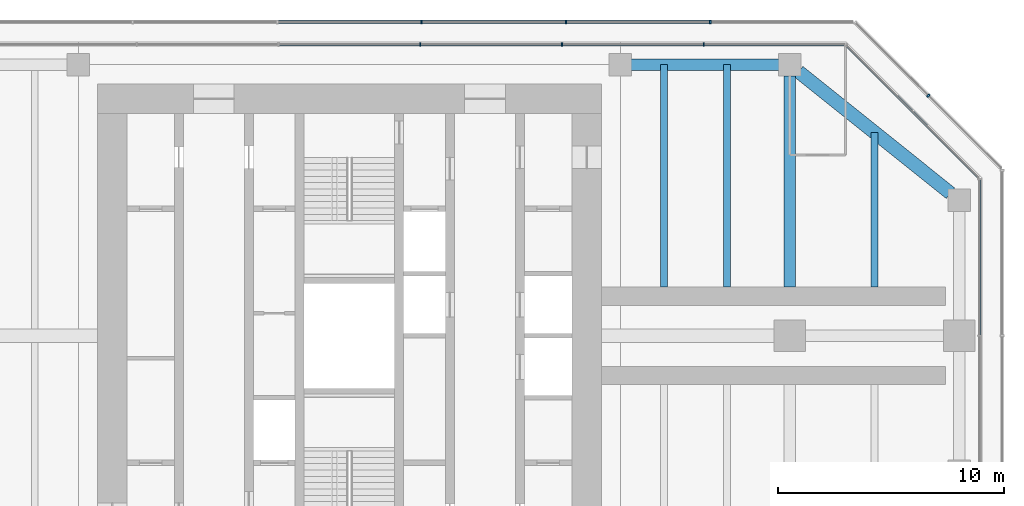
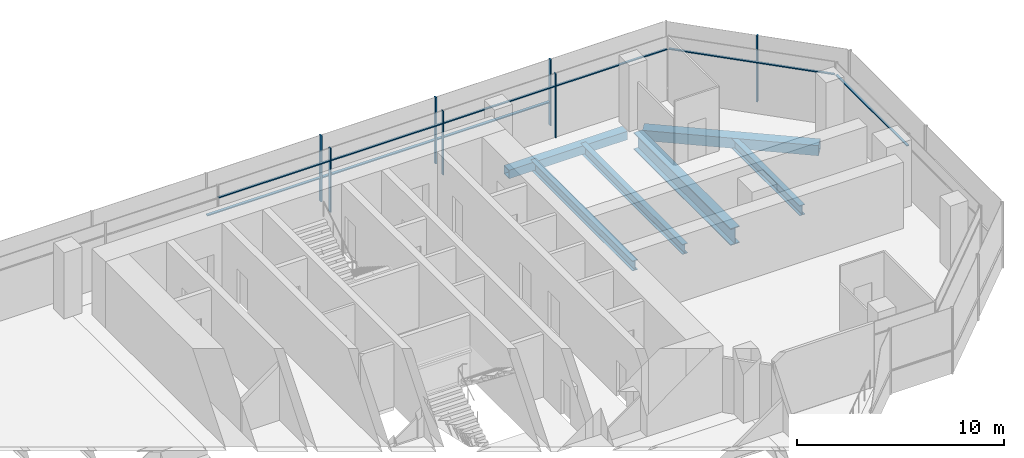
# One storey, part 7 of 15: 16 members, 6 beams, 5 elements without a shape of their own.
"""IFC4 building model written with IfcOpenShell, lengths in metres."""

import ifcopenshell
import ifcopenshell.guid

model = None  # the IFC model being written
_history = None  # IfcOwnerHistory: only IFC2X3 demands one
_inside = {}  # id of a spatial element -> (the spatial element, [elements in it])
_under = {}  # id of a project, library or spatial element -> (it, [spatial elements below it])
_declared = {}  # id of a project -> (the project, [libraries it declares])
_typed = {}  # id of a type object -> (the type object, [elements of that type])
_made_of = {}  # id of a material, layer set ... -> (it, [elements and type objects made of it])


def new_model(schema):
    """Start an empty IFC model of exactly this schema.

    Asked for "IFC4X3", IfcOpenShell would pick the latest addendum, in which some entities
    have other attributes; the version numbers below select the first issue.
    IFC2X3 requires an IfcOwnerHistory on every rooted entity: one is made here for all.
    """
    global model, _history
    if schema == "IFC4X3":
        model = ifcopenshell.file(schema_version=(4, 3, 0, 0))
    else:
        model = ifcopenshell.file(schema=schema)
    _inside.clear()
    _under.clear()
    _declared.clear()
    _typed.clear()
    _made_of.clear()
    _history = None
    if model.schema == "IFC2X3":
        org = make("IfcOrganization", Name="unknown")
        user = make(
            "IfcPersonAndOrganization",
            ThePerson=make("IfcPerson", FamilyName="unknown"),
            TheOrganization=org,
        )
        app = make(
            "IfcApplication",
            ApplicationDeveloper=org,
            Version="unknown",
            ApplicationFullName="unknown",
            ApplicationIdentifier="unknown",
        )
        _history = make(
            "IfcOwnerHistory",
            OwningUser=user,
            OwningApplication=app,
            ChangeAction="ADDED",
            CreationDate=0,
        )
    return model


def make(cls, **values):
    """One entity of the class cls with the attributes given. An attribute that is None is left unset."""
    return model.create_entity(
        cls, **{name: value for name, value in values.items() if value is not None}
    )


def rooted(cls, **values):
    """An entity with a GlobalId (a new one), such as an element, a storey or a relation."""
    return make(cls, GlobalId=ifcopenshell.guid.new(), OwnerHistory=_history, **values)


def si_unit(unit_type, name, prefix=None):
    """IfcSIUnit, for example si_unit("LENGTHUNIT", "METRE", prefix="MILLI")."""
    return make("IfcSIUnit", UnitType=unit_type, Prefix=prefix, Name=name)


def assignment(units):
    """IfcUnitAssignment: the units of a project."""
    return None if units is None else make("IfcUnitAssignment", Units=units)


def point(xyz):
    """IfcCartesianPoint."""
    return None if xyz is None else make("IfcCartesianPoint", Coordinates=xyz)


def direction(xyz):
    """IfcDirection."""
    return None if xyz is None else make("IfcDirection", DirectionRatios=xyz)


def frame(location, z_axis=None, x_axis=None):
    """IfcAxis2Placement3D, a coordinate frame: its origin and axes. An axis left out is left unset."""
    return make(
        "IfcAxis2Placement3D",
        Location=point(location),
        Axis=direction(z_axis),
        RefDirection=direction(x_axis),
    )


def frame_2d(location, x_axis=None):
    """IfcAxis2Placement2D, a coordinate frame in the plane: its origin and x axis."""
    return make(
        "IfcAxis2Placement2D", Location=point(location), RefDirection=direction(x_axis)
    )


def origin():
    """The frame at (0, 0, 0) with its axes left unset."""
    return frame((0.0, 0.0, 0.0))


def origin_2d():
    """The frame at (0, 0) in the plane with its x axis left unset."""
    return frame_2d((0.0, 0.0))


def place(relative_to, where):
    """IfcLocalPlacement: puts the frame where relative to a parent placement (None: the world)."""
    return make(
        "IfcLocalPlacement", PlacementRelTo=relative_to, RelativePlacement=where
    )


def context(
    kind, dimensions, precision=None, world=None, true_north=None, identifier=None
):
    """IfcGeometricRepresentationContext, for example the 3D "Model" context."""
    return make(
        "IfcGeometricRepresentationContext",
        ContextIdentifier=identifier,
        ContextType=kind,
        CoordinateSpaceDimension=dimensions,
        Precision=precision,
        WorldCoordinateSystem=world,
        TrueNorth=true_north,
    )


def subcontext(parent, identifier, kind, view, scale=None):
    """IfcGeometricRepresentationSubContext, for example "Body" below "Model"."""
    return make(
        "IfcGeometricRepresentationSubContext",
        ContextIdentifier=identifier,
        ContextType=kind,
        ParentContext=parent,
        TargetScale=scale,
        TargetView=view,
    )


def project(units=None, contexts=None):
    """IfcProject with its units and contexts."""
    return rooted(
        "IfcProject",
        Name="project",
        RepresentationContexts=contexts,
        UnitsInContext=assignment(units),
    )


def spatial(cls, under=None, at=None, **own):
    """A site, building, storey or space (cls), placed at a placement, below another one or the project."""
    s = rooted(cls, ObjectPlacement=at, **own)
    if under is not None:
        _under.setdefault(under.id(), (under, []))[1].append(s)
    return s


def profile(cls, at=None, kind="AREA", **sizes):
    """A parametric profile (cls). Its sizes go by their IFC names, for example OverallWidth=200.0."""
    return make(cls, ProfileType=kind, Position=at, **sizes)


def rectangle(**sizes):
    """IfcRectangleProfileDef."""
    return profile("IfcRectangleProfileDef", **sizes)


def hollow_rectangle(**sizes):
    """IfcRectangleHollowProfileDef."""
    return profile("IfcRectangleHollowProfileDef", **sizes)


def i_section(**sizes):
    """IfcIShapeProfileDef."""
    return profile("IfcIShapeProfileDef", **sizes)


def extrude(swept, where, along, depth):
    """IfcExtrudedAreaSolid: the profile swept, set in the frame where, extruded along a direction by depth."""
    return make(
        "IfcExtrudedAreaSolid",
        SweptArea=swept,
        Position=where,
        ExtrudedDirection=direction(along),
        Depth=depth,
    )


def shape(context_of_items, identifier, shape_type, items):
    """IfcShapeRepresentation: the items that make up one representation, for example the "Body"."""
    return make(
        "IfcShapeRepresentation",
        ContextOfItems=context_of_items,
        RepresentationIdentifier=identifier,
        RepresentationType=shape_type,
        Items=items,
    )


def material(Name=None, Category=None):
    """IfcMaterial."""
    return make("IfcMaterial", Name=Name, Category=Category)


def material_profile(
    of_material, cross_section, Name=None, Category=None, Priority=None
):
    """IfcMaterialProfile: a cross section and its material."""
    return make(
        "IfcMaterialProfile",
        Name=Name,
        Material=of_material,
        Profile=cross_section,
        Priority=Priority,
        Category=Category,
    )


def profile_set(profiles, Name=None, composite=None):
    """IfcMaterialProfileSet."""
    return make(
        "IfcMaterialProfileSet",
        Name=Name,
        MaterialProfiles=profiles,
        CompositeProfile=composite,
    )


def made_of(thing, what):
    """Note that an element or type object is made of a material, layer set ...; save() writes the relation."""
    if what is not None:
        _made_of.setdefault(what.id(), (what, []))[1].append(thing)
    return thing


def type_object(cls, material=None, **own):
    """A type object (cls), such as IfcWallType, which elements share."""
    return made_of(rooted(cls, **own), material)


def element(
    cls,
    number,
    at=None,
    inside=None,
    cuts=None,
    type_object=None,
    material=None,
    context=None,
    identifier="Body",
    shape_type=None,
    held_by="IfcProductDefinitionShape",
    body=None,
    shapes=None,
    **own,
):
    """One element of the class cls, such as IfcWall. Its Tag is "e" and its number.

    at: its placement. inside: the storey or other place that contains it. cuts: it is an
    opening in that element (IfcRelVoidsElement). A single representation is given by context,
    identifier, shape_type and body (its items); several are given by shapes. held_by: the class
    of the entity that holds the representations. save() writes the other relations.
    """
    e = rooted(cls, Tag="e%d" % number, ObjectPlacement=at, **own)
    if body is not None:
        shapes = [shape(context, identifier, shape_type, body)]
    if shapes is not None:
        e.Representation = make(held_by, Representations=shapes)
    if inside is not None:
        _inside.setdefault(inside.id(), (inside, []))[1].append(e)
    if cuts is not None:
        rooted(
            "IfcRelVoidsElement", RelatingBuildingElement=cuts, RelatedOpeningElement=e
        )
    if type_object is not None:
        _typed.setdefault(type_object.id(), (type_object, []))[1].append(e)
    return made_of(e, material)


def aggregate(whole, parts):
    """IfcRelAggregates: a whole, such as a stair, and the parts it consists of."""
    return rooted("IfcRelAggregates", RelatingObject=whole, RelatedObjects=parts)


def save(model, path):
    """Write the relations noted so far, then the file.

    IfcRelAggregates (storeys below a building ...), IfcRelContainedInSpatialStructure (elements
    in a storey), IfcRelDefinesByType, IfcRelAssociatesMaterial and IfcRelDeclares: one each for
    every whole, place, type object, material and project.
    """
    for whole, parts in _under.values():
        aggregate(whole, parts)
    for where, things in _inside.values():
        rooted(
            "IfcRelContainedInSpatialStructure",
            RelatedElements=things,
            RelatingStructure=where,
        )
    for kind, things in _typed.values():
        rooted("IfcRelDefinesByType", RelatedObjects=things, RelatingType=kind)
    for what, things in _made_of.values():
        rooted("IfcRelAssociatesMaterial", RelatedObjects=things, RelatingMaterial=what)
    for by, libraries in _declared.values():
        rooted("IfcRelDeclares", RelatingContext=by, RelatedDefinitions=libraries)
    model.write(path)


model = new_model("IFC4")

# Units and contexts
model_context = context("Model", 3, precision=1e-05, world=origin(), true_north=direction((0.0, 1.0)))
body_context = subcontext(model_context, "Body", "Model", "MODEL_VIEW")
ifc_project = project(units=[si_unit("LENGTHUNIT", "METRE"), si_unit("AREAUNIT", "SQUARE_METRE"), si_unit("VOLUMEUNIT", "CUBIC_METRE"), si_unit("PLANEANGLEUNIT", "RADIAN"), si_unit("MASSUNIT", "GRAM", prefix="KILO")], contexts=[model_context])

# Site, building, storey
site_placement = place(None, origin())
site = spatial("IfcSite", under=ifc_project, at=site_placement, CompositionType="ELEMENT")
building_placement = place(site_placement, origin())
building = spatial("IfcBuilding", under=site, at=building_placement, Name="Mizan Broadcast Tower", CompositionType="ELEMENT")
storey_placement = place(building_placement, frame((0.0, 0.0, 286.800048828125)))
storey = spatial("IfcBuildingStorey", under=building, at=storey_placement, Name="L68", CompositionType="ELEMENT", Elevation=286.800048828125)

# Beams
ifc_material_1 = material(Name="Steel S355", Category="steel")
ifc_material_profile_1 = material_profile(ifc_material_1, hollow_rectangle(XDim=0.5, YDim=0.5, WallThickness=0.030029296875, at=origin_2d()), Name="BOX 500x500x30")
ifc_profile_set_1 = profile_set([ifc_material_profile_1], Name="Steel S355")
beam_type_1 = type_object("IfcBeamType", Name="EDGE BEAM BOX 500x500x30", PredefinedType="SPANDREL", material=ifc_profile_set_1)
beam_1_placement = place(storey_placement, frame((12.449951171875, 12.0, -0.380126953125), z_axis=(1.0, 0.0, 0.0), x_axis=(0.0, 1.0, 0.0)))
element("IfcBeam", 1, at=beam_1_placement, inside=storey, type_object=beam_type_1, Name="Edge beam BOX 500x500x30 L68 east arm", PredefinedType="SPANDREL", context=body_context, shape_type="SweptSolid", body=[
    extrude(hollow_rectangle(XDim=0.5, YDim=0.5, WallThickness=0.030029296875, at=origin_2d()), origin(), (0.0, 0.0, 1.0), 6.60009765625),
])
ifc_material_2 = material(Name="Steel S355", Category="steel")
ifc_material_profile_2 = material_profile(ifc_material_2, hollow_rectangle(XDim=0.60009765625, YDim=0.60009765625, WallThickness=0.030029296875, at=origin_2d()), Name="BOX 600x600x30")
ifc_profile_set_2 = profile_set([ifc_material_profile_2], Name="Steel S355")
beam_type_2 = type_object("IfcBeamType", Name="EDGE BEAM BOX 600x600x30", PredefinedType="SPANDREL", material=ifc_profile_set_2)
beam_2_placement = place(storey_placement, frame((19.890380859375, 11.687744140625, -0.429931640625), z_axis=(0.780863273348, -0.62470196761, 0.0), x_axis=(0.62470196761, 0.780863273348, 0.0)))
element("IfcBeam", 2, at=beam_2_placement, inside=storey, type_object=beam_type_2, Name="Edge beam BOX 600x600x30 L68 east arm", PredefinedType="SPANDREL", context=body_context, shape_type="SweptSolid", body=[
    extrude(hollow_rectangle(XDim=0.60009765625, YDim=0.60009765625, WallThickness=0.030029296875, at=origin_2d()), origin(), (0.0, 0.0, 1.0), 8.60498046875),
])
ifc_material_3 = material(Name="Steel S460", Category="steel")
ifc_material_profile_3 = material_profile(ifc_material_3, i_section(OverallWidth=0.5, OverallDepth=1.0, WebThickness=0.02490234375, FlangeThickness=0.050048828125, at=origin_2d()), Name="WPG 1000x500")
ifc_profile_set_3 = profile_set([ifc_material_profile_3], Name="Steel S460")
beam_type_3 = type_object("IfcBeamType", Name="GIRDER WPG 1000x500", PredefinedType="BEAM", material=ifc_profile_set_3)
beam_3_placement = place(storey_placement, frame((19.5, 11.5, -0.630126953125), z_axis=(0.0, -1.0, 0.0), x_axis=(1.0, 0.0, 0.0)))
element("IfcBeam", 3, at=beam_3_placement, inside=storey, type_object=beam_type_3, Name="Girder WPG 1000x500 L68 east arm", PredefinedType="BEAM", context=body_context, shape_type="SweptSolid", body=[
    extrude(i_section(OverallWidth=0.5, OverallDepth=1.0, WebThickness=0.02490234375, FlangeThickness=0.050048828125, at=origin_2d()), origin(), (0.0, 0.0, 1.0), 9.35009765625),
])

# Curtain wall, members
ifc_material_4 = material(Name="Aluminium framed glazing", Category="aluminium")
curtain_wall_type_1 = type_object("IfcCurtainWallType", Name="INNER SKIN TOP ZONE", PredefinedType="USERDEFINED", material=ifc_material_4)
curtain_wall_1_placement = place(storey_placement, origin())
curtain_wall_1 = element("IfcCurtainWall", 4, at=curtain_wall_1_placement, inside=storey, type_object=curtain_wall_type_1, Name="Inner skin top zone L68 N end", ObjectType="INNER SKIN TOP ZONE", PredefinedType="USERDEFINED")
ifc_material_5 = material(Name="Aluminium, pale anodised", Category="aluminium")
ifc_material_profile_4 = material_profile(ifc_material_5, rectangle(XDim=0.159912109375, YDim=0.06005859375, at=origin_2d()), Name="MULLION 160x60")
ifc_profile_set_4 = profile_set([ifc_material_profile_4], Name="Aluminium, pale anodised")
member_type_1 = type_object("IfcMemberType", Name="INNER SKIN MULLION 60x160", PredefinedType="MULLION", material=ifc_profile_set_4)
member_1_placement = place(storey_placement, frame((15.684814453125, 12.89990234375, 0.0), z_axis=(0.0, 0.0, 1.0), x_axis=(0.0, -1.0, 0.0)))
member_1 = element("IfcMember", 5, at=member_1_placement, type_object=member_type_1, Name="Inner skin top zone L68 N end mullion 2", PredefinedType="MULLION", context=body_context, shape_type="SweptSolid", body=[
    extrude(rectangle(XDim=0.159912109375, YDim=0.06005859375, at=origin_2d()), origin(), (0.0, 0.0, 1.0), 3.77001953125),
])
member_2_placement = place(storey_placement, frame((9.410888671875, 12.89990234375, 0.0), z_axis=(0.0, 0.0, 1.0), x_axis=(0.0, -1.0, 0.0)))
member_2 = element("IfcMember", 6, at=member_2_placement, type_object=member_type_1, Name="Inner skin top zone L68 N end mullion 3", PredefinedType="MULLION", context=body_context, shape_type="SweptSolid", body=[
    extrude(rectangle(XDim=0.159912109375, YDim=0.06005859375, at=origin_2d()), origin(), (0.0, 0.0, 1.0), 3.77001953125),
])
member_3_placement = place(storey_placement, frame((3.136962890625, 12.89990234375, 0.0), z_axis=(0.0, 0.0, 1.0), x_axis=(0.0, -1.0, 0.0)))
member_3 = element("IfcMember", 7, at=member_3_placement, type_object=member_type_1, Name="Inner skin top zone L68 N end mullion 4", PredefinedType="MULLION", context=body_context, shape_type="SweptSolid", body=[
    extrude(rectangle(XDim=0.159912109375, YDim=0.06005859375, at=origin_2d()), origin(), (0.0, 0.0, 1.0), 3.77001953125),
])

# Curtain wall, member
curtain_wall_2_placement = place(storey_placement, origin())
curtain_wall_2 = element("IfcCurtainWall", 8, at=curtain_wall_2_placement, inside=storey, type_object=curtain_wall_type_1, Name="Inner skin top zone L68 E end", ObjectType="INNER SKIN TOP ZONE", PredefinedType="USERDEFINED")
ifc_material_6 = material(Name="Aluminium, pale anodised", Category="aluminium")
ifc_material_profile_5 = material_profile(ifc_material_6, rectangle(XDim=0.1201171875, YDim=0.06005859375, at=origin_2d()), Name="TRANSOM 120x60")
ifc_profile_set_5 = profile_set([ifc_material_profile_5], Name="Aluminium, pale anodised")
member_type_2 = type_object("IfcMemberType", Name="INNER SKIN TRANSOM 60x120", PredefinedType="USERDEFINED", material=ifc_profile_set_5)
member_4_placement = place(storey_placement, frame((27.89990234375, 0.030029296875, 3.030029296875), z_axis=(0.0, 1.0, 0.0), x_axis=(-1.0, 0.0, 0.0)))
member_4 = element("IfcMember", 9, at=member_4_placement, type_object=member_type_2, Name="Inner skin top zone L68 E end transom 2.1", ObjectType="TRANSOM", PredefinedType="USERDEFINED", context=body_context, shape_type="SweptSolid", body=[
    extrude(rectangle(XDim=0.1201171875, YDim=0.06005859375, at=origin_2d()), origin(), (0.0, 0.0, 1.0), 6.86865234375),
])
aggregate(curtain_wall_2, [member_4])

curtain_wall_3_placement = place(storey_placement, origin())
curtain_wall_3 = element("IfcCurtainWall", 10, at=curtain_wall_3_placement, inside=storey, type_object=curtain_wall_type_1, Name="Inner skin top zone L68 E chamfer", ObjectType="INNER SKIN TOP ZONE", PredefinedType="USERDEFINED")
member_5_placement = place(storey_placement, frame((27.857666015625, 7.0009765625, 3.030029296875), z_axis=(-0.707106781187, 0.707106781187, 0.0), x_axis=(-0.707106781187, -0.707106781187, 0.0)))
member_5 = element("IfcMember", 11, at=member_5_placement, type_object=member_type_2, Name="Inner skin top zone L68 E chamfer transom 1.1", ObjectType="TRANSOM", PredefinedType="USERDEFINED", context=body_context, shape_type="SweptSolid", body=[
    extrude(rectangle(XDim=0.1201171875, YDim=0.06005859375, at=origin_2d()), origin(), (0.0, 0.0, 1.0), 8.28271484375),
])
aggregate(curtain_wall_3, [member_5])

# Member
member_6_placement = place(storey_placement, frame((21.898681640625, 12.89990234375, 3.030029296875), z_axis=(-1.0, 0.0, 0.0), x_axis=(0.0, -1.0, 0.0)))
member_6 = element("IfcMember", 12, at=member_6_placement, type_object=member_type_2, Name="Inner skin top zone L68 N end transom 1.1", ObjectType="TRANSOM", PredefinedType="USERDEFINED", context=body_context, shape_type="SweptSolid", body=[
    extrude(rectangle(XDim=0.1201171875, YDim=0.06005859375, at=origin_2d()), origin(), (0.0, 0.0, 1.0), 6.18408203125),
])

member_7_placement = place(storey_placement, frame((15.65478515625, 12.89990234375, 3.030029296875), z_axis=(-1.0, 0.0, 0.0), x_axis=(0.0, -1.0, 0.0)))
member_7 = element("IfcMember", 13, at=member_7_placement, type_object=member_type_2, Name="Inner skin top zone L68 N end transom 2.1", ObjectType="TRANSOM", PredefinedType="USERDEFINED", context=body_context, shape_type="SweptSolid", body=[
    extrude(rectangle(XDim=0.1201171875, YDim=0.06005859375, at=origin_2d()), origin(), (0.0, 0.0, 1.0), 6.2138671875),
])

member_8_placement = place(storey_placement, frame((9.380859375, 12.89990234375, 3.030029296875), z_axis=(-1.0, 0.0, 0.0), x_axis=(0.0, -1.0, 0.0)))
member_8 = element("IfcMember", 14, at=member_8_placement, type_object=member_type_2, Name="Inner skin top zone L68 N end transom 3.1", ObjectType="TRANSOM", PredefinedType="USERDEFINED", context=body_context, shape_type="SweptSolid", body=[
    extrude(rectangle(XDim=0.1201171875, YDim=0.06005859375, at=origin_2d()), origin(), (0.0, 0.0, 1.0), 6.2138671875),
])

member_9_placement = place(storey_placement, frame((3.10693359375, 12.89990234375, 3.030029296875), z_axis=(-1.0, 0.0, 0.0), x_axis=(0.0, -1.0, 0.0)))
member_9 = element("IfcMember", 15, at=member_9_placement, type_object=member_type_2, Name="Inner skin top zone L68 N end transom 4.1", ObjectType="TRANSOM", PredefinedType="USERDEFINED", context=body_context, shape_type="SweptSolid", body=[
    extrude(rectangle(XDim=0.1201171875, YDim=0.06005859375, at=origin_2d()), origin(), (0.0, 0.0, 1.0), 6.2138671875),
])

aggregate(curtain_wall_1, [member_1, member_2, member_3, member_6, member_7, member_8, member_9])

# Curtain wall, member
ifc_material_7 = material(Name="Aluminium framed glazing", Category="aluminium")
curtain_wall_type_2 = type_object("IfcCurtainWallType", Name="OUTER SKIN", PredefinedType="USERDEFINED", material=ifc_material_7)
curtain_wall_4_placement = place(storey_placement, origin())
curtain_wall_4 = element("IfcCurtainWall", 16, at=curtain_wall_4_placement, inside=storey, type_object=curtain_wall_type_2, Name="Outer skin L68 E chamfer", ObjectType="OUTER SKIN", PredefinedType="USERDEFINED")
ifc_material_8 = material(Name="Aluminium, pale anodised", Category="aluminium")
ifc_material_profile_6 = material_profile(ifc_material_8, rectangle(XDim=0.159912109375, YDim=0.080078125, at=origin_2d()), Name="MULLION 160x80")
ifc_profile_set_6 = profile_set([ifc_material_profile_6], Name="Aluminium, pale anodised")
member_type_3 = type_object("IfcMemberType", Name="OUTER SKIN MULLION 80x160", PredefinedType="MULLION", material=ifc_profile_set_6)
member_10_placement = place(storey_placement, frame((25.636474609375, 10.636474609375, 0.0), z_axis=(0.0, 0.0, 1.0), x_axis=(-0.707106781187, -0.707106781187, 0.0)))
member_10 = element("IfcMember", 17, at=member_10_placement, type_object=member_type_3, Name="Outer skin L68 E chamfer mullion 2", PredefinedType="MULLION", context=body_context, shape_type="SweptSolid", body=[
    extrude(rectangle(XDim=0.159912109375, YDim=0.080078125, at=origin_2d()), origin(), (0.0, 0.0, 1.0), 3.89990234375),
])
aggregate(curtain_wall_4, [member_10])

# Curtain wall, members
curtain_wall_5_placement = place(storey_placement, origin())
curtain_wall_5 = element("IfcCurtainWall", 18, at=curtain_wall_5_placement, inside=storey, type_object=curtain_wall_type_2, Name="Outer skin L68 N end", ObjectType="OUTER SKIN", PredefinedType="USERDEFINED")
member_11_placement = place(storey_placement, frame((15.98046875, 13.89990234375, 0.0), z_axis=(0.0, 0.0, 1.0), x_axis=(0.0, -1.0, 0.0)))
member_11 = element("IfcMember", 19, at=member_11_placement, type_object=member_type_3, Name="Outer skin L68 N end mullion 2", PredefinedType="MULLION", context=body_context, shape_type="SweptSolid", body=[
    extrude(rectangle(XDim=0.159912109375, YDim=0.080078125, at=origin_2d()), origin(), (0.0, 0.0, 1.0), 3.89990234375),
])
member_12_placement = place(storey_placement, frame((9.58837890625, 13.89990234375, 0.0), z_axis=(0.0, 0.0, 1.0), x_axis=(0.0, -1.0, 0.0)))
member_12 = element("IfcMember", 20, at=member_12_placement, type_object=member_type_3, Name="Outer skin L68 N end mullion 3", PredefinedType="MULLION", context=body_context, shape_type="SweptSolid", body=[
    extrude(rectangle(XDim=0.159912109375, YDim=0.080078125, at=origin_2d()), origin(), (0.0, 0.0, 1.0), 3.89990234375),
])
member_13_placement = place(storey_placement, frame((3.196044921875, 13.89990234375, 0.0), z_axis=(0.0, 0.0, 1.0), x_axis=(0.0, -1.0, 0.0)))
member_13 = element("IfcMember", 21, at=member_13_placement, type_object=member_type_3, Name="Outer skin L68 N end mullion 4", PredefinedType="MULLION", context=body_context, shape_type="SweptSolid", body=[
    extrude(rectangle(XDim=0.159912109375, YDim=0.080078125, at=origin_2d()), origin(), (0.0, 0.0, 1.0), 3.89990234375),
])
ifc_material_9 = material(Name="Aluminium, pale anodised", Category="aluminium")
ifc_material_profile_7 = material_profile(ifc_material_9, rectangle(XDim=0.159912109375, YDim=0.06005859375, at=origin_2d()), Name="TRANSOM 160x60")
ifc_profile_set_7 = profile_set([ifc_material_profile_7], Name="Aluminium, pale anodised")
member_type_4 = type_object("IfcMemberType", Name="OUTER SKIN TRANSOM 60x160", PredefinedType="USERDEFINED", material=ifc_profile_set_7)
member_14_placement = place(storey_placement, frame((15.940673828125, 13.89990234375, 1.39990234375), z_axis=(-1.0, 0.0, 0.0), x_axis=(0.0, -1.0, 0.0)))
member_14 = element("IfcMember", 22, at=member_14_placement, type_object=member_type_4, Name="Outer skin L68 N end transom 2.1", ObjectType="TRANSOM", PredefinedType="USERDEFINED", context=body_context, shape_type="SweptSolid", body=[
    extrude(rectangle(XDim=0.159912109375, YDim=0.06005859375, at=origin_2d()), origin(), (0.0, 0.0, 1.0), 6.312255859375),
])
member_15_placement = place(storey_placement, frame((9.54833984375, 13.89990234375, 1.39990234375), z_axis=(-1.0, 0.0, 0.0), x_axis=(0.0, -1.0, 0.0)))
member_15 = element("IfcMember", 23, at=member_15_placement, type_object=member_type_4, Name="Outer skin L68 N end transom 3.1", ObjectType="TRANSOM", PredefinedType="USERDEFINED", context=body_context, shape_type="SweptSolid", body=[
    extrude(rectangle(XDim=0.159912109375, YDim=0.06005859375, at=origin_2d()), origin(), (0.0, 0.0, 1.0), 6.312255859375),
])
member_16_placement = place(storey_placement, frame((3.156005859375, 13.89990234375, 1.39990234375), z_axis=(-1.0, 0.0, 0.0), x_axis=(0.0, -1.0, 0.0)))
member_16 = element("IfcMember", 24, at=member_16_placement, type_object=member_type_4, Name="Outer skin L68 N end transom 4.1", ObjectType="TRANSOM", PredefinedType="USERDEFINED", context=body_context, shape_type="SweptSolid", body=[
    extrude(rectangle(XDim=0.159912109375, YDim=0.06005859375, at=origin_2d()), origin(), (0.0, 0.0, 1.0), 6.31201171875),
])
aggregate(curtain_wall_5, [member_11, member_12, member_13, member_14, member_15, member_16])

# Beams
ifc_material_10 = material(Name="Steel S355", Category="steel")
ifc_material_profile_8 = material_profile(ifc_material_10, i_section(OverallWidth=0.300048828125, OverallDepth=0.590087890625, WebThickness=0.012939453125, FlangeThickness=0.02490234375, FilletRadius=0.027099609375, at=origin_2d()), Name="HEA 600")
ifc_profile_set_8 = profile_set([ifc_material_profile_8], Name="Steel S355")
beam_type_4 = type_object("IfcBeamType", Name="SECONDARY BEAM HEA 600", PredefinedType="JOIST", material=ifc_profile_set_8)
for number, where, z_axis, x_axis, name in (
    (25, (13.933349609375, 12.0, -0.425048828125), (0.0, -1.0, 0.0), (1.0, 0.0, 0.0), "Secondary beam HEA 600 L68 east arm"),
    (26, (16.716552734375, 12.0, -0.425048828125), (0.0, -1.0, 0.0), (1.0, 0.0, 0.0), "Secondary beam HEA 600 L68 east arm"),
):
    element("IfcBeam", number, at=place(storey_placement, frame(where, z_axis=z_axis, x_axis=x_axis)), inside=storey, type_object=beam_type_4, Name=name, PredefinedType="JOIST", context=body_context, shape_type="SweptSolid", body=[
        extrude(i_section(OverallWidth=0.300048828125, OverallDepth=0.590087890625, WebThickness=0.012939453125, FlangeThickness=0.02490234375, FilletRadius=0.027099609375, at=origin_2d()), origin(), (0.0, 0.0, 1.0), 9.85009765625),
    ])
beam_4_placement = place(storey_placement, frame((23.25, 9.0, -0.425048828125), z_axis=(0.0, -1.0, 0.0), x_axis=(1.0, 0.0, 0.0)))
element("IfcBeam", 27, at=beam_4_placement, inside=storey, type_object=beam_type_4, Name="Secondary beam HEA 600 L68 east arm", PredefinedType="JOIST", context=body_context, shape_type="SweptSolid", body=[
    extrude(i_section(OverallWidth=0.300048828125, OverallDepth=0.590087890625, WebThickness=0.012939453125, FlangeThickness=0.02490234375, FilletRadius=0.027099609375, at=origin_2d()), origin(), (0.0, 0.0, 1.0), 6.85009765625),
])

save(model, "model.ifc")
